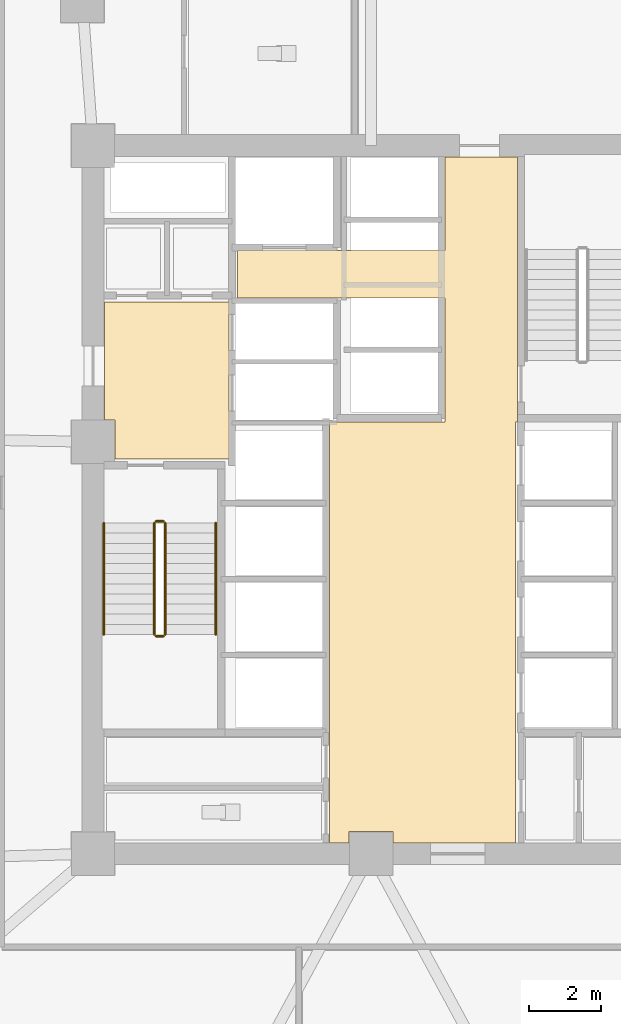
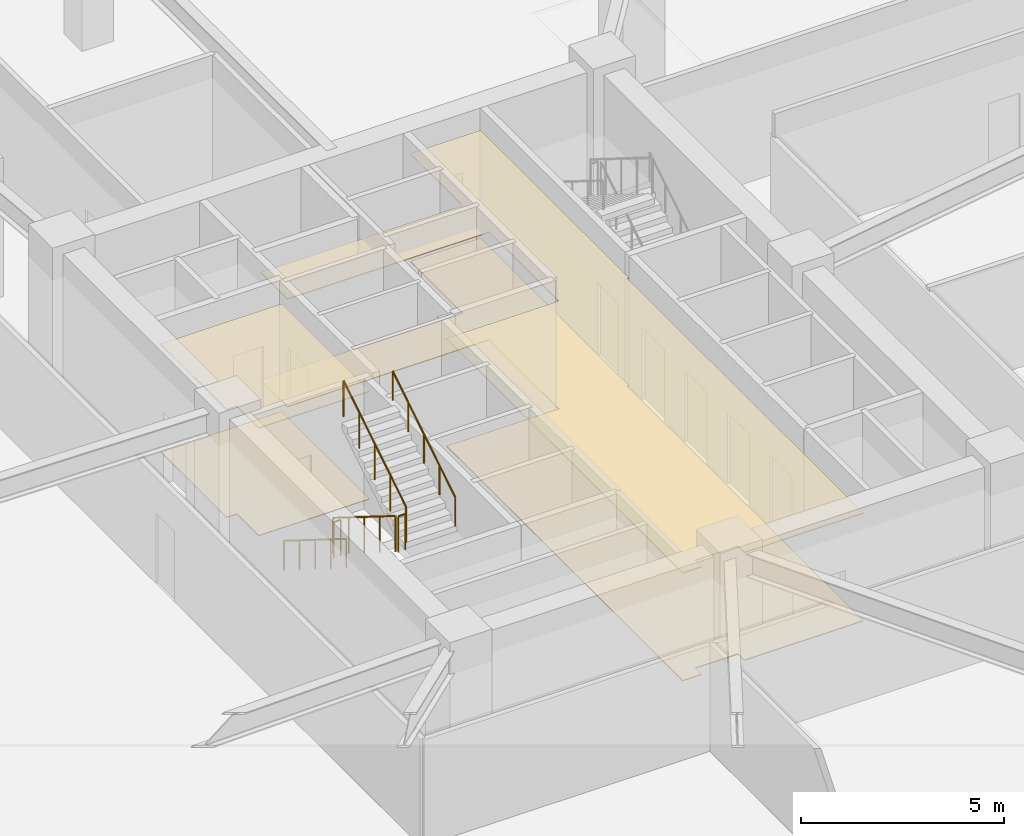
# One storey, part 16 of 21: 6 railings, 4 coverings.
"""IFC4 building model written with IfcOpenShell, lengths in metres."""

import ifcopenshell
import ifcopenshell.guid

model = None  # the IFC model being written
_history = None  # IfcOwnerHistory: only IFC2X3 demands one
_inside = {}  # id of a spatial element -> (the spatial element, [elements in it])
_under = {}  # id of a project, library or spatial element -> (it, [spatial elements below it])
_declared = {}  # id of a project -> (the project, [libraries it declares])
_typed = {}  # id of a type object -> (the type object, [elements of that type])
_made_of = {}  # id of a material, layer set ... -> (it, [elements and type objects made of it])


def new_model(schema):
    """Start an empty IFC model of exactly this schema.

    Asked for "IFC4X3", IfcOpenShell would pick the latest addendum, in which some entities
    have other attributes; the version numbers below select the first issue.
    IFC2X3 requires an IfcOwnerHistory on every rooted entity: one is made here for all.
    """
    global model, _history
    if schema == "IFC4X3":
        model = ifcopenshell.file(schema_version=(4, 3, 0, 0))
    else:
        model = ifcopenshell.file(schema=schema)
    _inside.clear()
    _under.clear()
    _declared.clear()
    _typed.clear()
    _made_of.clear()
    _history = None
    if model.schema == "IFC2X3":
        org = make("IfcOrganization", Name="unknown")
        user = make(
            "IfcPersonAndOrganization",
            ThePerson=make("IfcPerson", FamilyName="unknown"),
            TheOrganization=org,
        )
        app = make(
            "IfcApplication",
            ApplicationDeveloper=org,
            Version="unknown",
            ApplicationFullName="unknown",
            ApplicationIdentifier="unknown",
        )
        _history = make(
            "IfcOwnerHistory",
            OwningUser=user,
            OwningApplication=app,
            ChangeAction="ADDED",
            CreationDate=0,
        )
    return model


def make(cls, **values):
    """One entity of the class cls with the attributes given. An attribute that is None is left unset."""
    return model.create_entity(
        cls, **{name: value for name, value in values.items() if value is not None}
    )


def rooted(cls, **values):
    """An entity with a GlobalId (a new one), such as an element, a storey or a relation."""
    return make(cls, GlobalId=ifcopenshell.guid.new(), OwnerHistory=_history, **values)


def si_unit(unit_type, name, prefix=None):
    """IfcSIUnit, for example si_unit("LENGTHUNIT", "METRE", prefix="MILLI")."""
    return make("IfcSIUnit", UnitType=unit_type, Prefix=prefix, Name=name)


def assignment(units):
    """IfcUnitAssignment: the units of a project."""
    return None if units is None else make("IfcUnitAssignment", Units=units)


def point(xyz):
    """IfcCartesianPoint."""
    return None if xyz is None else make("IfcCartesianPoint", Coordinates=xyz)


def direction(xyz):
    """IfcDirection."""
    return None if xyz is None else make("IfcDirection", DirectionRatios=xyz)


def frame(location, z_axis=None, x_axis=None):
    """IfcAxis2Placement3D, a coordinate frame: its origin and axes. An axis left out is left unset."""
    return make(
        "IfcAxis2Placement3D",
        Location=point(location),
        Axis=direction(z_axis),
        RefDirection=direction(x_axis),
    )


def frame_2d(location, x_axis=None):
    """IfcAxis2Placement2D, a coordinate frame in the plane: its origin and x axis."""
    return make(
        "IfcAxis2Placement2D", Location=point(location), RefDirection=direction(x_axis)
    )


def origin():
    """The frame at (0, 0, 0) with its axes left unset."""
    return frame((0.0, 0.0, 0.0))


def origin_2d():
    """The frame at (0, 0) in the plane with its x axis left unset."""
    return frame_2d((0.0, 0.0))


def place(relative_to, where):
    """IfcLocalPlacement: puts the frame where relative to a parent placement (None: the world)."""
    return make(
        "IfcLocalPlacement", PlacementRelTo=relative_to, RelativePlacement=where
    )


def context(
    kind, dimensions, precision=None, world=None, true_north=None, identifier=None
):
    """IfcGeometricRepresentationContext, for example the 3D "Model" context."""
    return make(
        "IfcGeometricRepresentationContext",
        ContextIdentifier=identifier,
        ContextType=kind,
        CoordinateSpaceDimension=dimensions,
        Precision=precision,
        WorldCoordinateSystem=world,
        TrueNorth=true_north,
    )


def subcontext(parent, identifier, kind, view, scale=None):
    """IfcGeometricRepresentationSubContext, for example "Body" below "Model"."""
    return make(
        "IfcGeometricRepresentationSubContext",
        ContextIdentifier=identifier,
        ContextType=kind,
        ParentContext=parent,
        TargetScale=scale,
        TargetView=view,
    )


def project(units=None, contexts=None):
    """IfcProject with its units and contexts."""
    return rooted(
        "IfcProject",
        Name="project",
        RepresentationContexts=contexts,
        UnitsInContext=assignment(units),
    )


def spatial(cls, under=None, at=None, **own):
    """A site, building, storey or space (cls), placed at a placement, below another one or the project."""
    s = rooted(cls, ObjectPlacement=at, **own)
    if under is not None:
        _under.setdefault(under.id(), (under, []))[1].append(s)
    return s


def polyline(points):
    """IfcPolyline through the points."""
    return make("IfcPolyline", Points=[point(p) for p in points])


def profile(cls, at=None, kind="AREA", **sizes):
    """A parametric profile (cls). Its sizes go by their IFC names, for example OverallWidth=200.0."""
    return make(cls, ProfileType=kind, Position=at, **sizes)


def circle(**sizes):
    """IfcCircleProfileDef."""
    return profile("IfcCircleProfileDef", **sizes)


def outline(outer, holes=None, kind="AREA"):
    """IfcArbitraryClosedProfileDef: a profile drawn as a closed curve; with holes, ...WithVoids."""
    if holes is None:
        return make("IfcArbitraryClosedProfileDef", ProfileType=kind, OuterCurve=outer)
    return make(
        "IfcArbitraryProfileDefWithVoids",
        ProfileType=kind,
        OuterCurve=outer,
        InnerCurves=holes,
    )


def extrude(swept, where, along, depth):
    """IfcExtrudedAreaSolid: the profile swept, set in the frame where, extruded along a direction by depth."""
    return make(
        "IfcExtrudedAreaSolid",
        SweptArea=swept,
        Position=where,
        ExtrudedDirection=direction(along),
        Depth=depth,
    )


def shape(context_of_items, identifier, shape_type, items):
    """IfcShapeRepresentation: the items that make up one representation, for example the "Body"."""
    return make(
        "IfcShapeRepresentation",
        ContextOfItems=context_of_items,
        RepresentationIdentifier=identifier,
        RepresentationType=shape_type,
        Items=items,
    )


def material(Name=None, Category=None):
    """IfcMaterial."""
    return make("IfcMaterial", Name=Name, Category=Category)


def layer(
    of_material, thickness, ventilated=None, Name=None, Category=None, Priority=None
):
    """IfcMaterialLayer: one layer of a wall or slab, of a material (None: an air gap)."""
    return make(
        "IfcMaterialLayer",
        Material=of_material,
        LayerThickness=thickness,
        IsVentilated=ventilated,
        Name=Name,
        Category=Category,
        Priority=Priority,
    )


def layer_set(layers, Name=None):
    """IfcMaterialLayerSet."""
    return make("IfcMaterialLayerSet", MaterialLayers=layers, LayerSetName=Name)


def made_of(thing, what):
    """Note that an element or type object is made of a material, layer set ...; save() writes the relation."""
    if what is not None:
        _made_of.setdefault(what.id(), (what, []))[1].append(thing)
    return thing


def type_object(cls, material=None, **own):
    """A type object (cls), such as IfcWallType, which elements share."""
    return made_of(rooted(cls, **own), material)


def element(
    cls,
    number,
    at=None,
    inside=None,
    cuts=None,
    type_object=None,
    material=None,
    context=None,
    identifier="Body",
    shape_type=None,
    held_by="IfcProductDefinitionShape",
    body=None,
    shapes=None,
    **own,
):
    """One element of the class cls, such as IfcWall. Its Tag is "e" and its number.

    at: its placement. inside: the storey or other place that contains it. cuts: it is an
    opening in that element (IfcRelVoidsElement). A single representation is given by context,
    identifier, shape_type and body (its items); several are given by shapes. held_by: the class
    of the entity that holds the representations. save() writes the other relations.
    """
    e = rooted(cls, Tag="e%d" % number, ObjectPlacement=at, **own)
    if body is not None:
        shapes = [shape(context, identifier, shape_type, body)]
    if shapes is not None:
        e.Representation = make(held_by, Representations=shapes)
    if inside is not None:
        _inside.setdefault(inside.id(), (inside, []))[1].append(e)
    if cuts is not None:
        rooted(
            "IfcRelVoidsElement", RelatingBuildingElement=cuts, RelatedOpeningElement=e
        )
    if type_object is not None:
        _typed.setdefault(type_object.id(), (type_object, []))[1].append(e)
    return made_of(e, material)


def aggregate(whole, parts):
    """IfcRelAggregates: a whole, such as a stair, and the parts it consists of."""
    return rooted("IfcRelAggregates", RelatingObject=whole, RelatedObjects=parts)


def save(model, path):
    """Write the relations noted so far, then the file.

    IfcRelAggregates (storeys below a building ...), IfcRelContainedInSpatialStructure (elements
    in a storey), IfcRelDefinesByType, IfcRelAssociatesMaterial and IfcRelDeclares: one each for
    every whole, place, type object, material and project.
    """
    for whole, parts in _under.values():
        aggregate(whole, parts)
    for where, things in _inside.values():
        rooted(
            "IfcRelContainedInSpatialStructure",
            RelatedElements=things,
            RelatingStructure=where,
        )
    for kind, things in _typed.values():
        rooted("IfcRelDefinesByType", RelatedObjects=things, RelatingType=kind)
    for what, things in _made_of.values():
        rooted("IfcRelAssociatesMaterial", RelatedObjects=things, RelatingMaterial=what)
    for by, libraries in _declared.values():
        rooted("IfcRelDeclares", RelatingContext=by, RelatedDefinitions=libraries)
    model.write(path)


model = new_model("IFC4")

# Units and contexts
model_context = context("Model", 3, precision=1e-05, world=origin(), true_north=direction((0.0, 1.0)))
body_context = subcontext(model_context, "Body", "Model", "MODEL_VIEW")
ifc_project = project(units=[si_unit("LENGTHUNIT", "METRE"), si_unit("AREAUNIT", "SQUARE_METRE"), si_unit("VOLUMEUNIT", "CUBIC_METRE"), si_unit("PLANEANGLEUNIT", "RADIAN"), si_unit("MASSUNIT", "GRAM", prefix="KILO")], contexts=[model_context])

# Site, building, storey
site_placement = place(None, origin())
site = spatial("IfcSite", under=ifc_project, at=site_placement, CompositionType="ELEMENT")
building_placement = place(site_placement, origin())
building = spatial("IfcBuilding", under=site, at=building_placement, Name="Savorim Split Tower", CompositionType="ELEMENT")
storey_placement = place(building_placement, frame((0.0, 0.0, 5.0)))
storey = spatial("IfcBuildingStorey", under=building, at=storey_placement, Name="L01", CompositionType="ELEMENT", Elevation=5.0)

# Coverings
ifc_material_1 = material(Name="Mineral Fibre Acoustic Ceiling")
ifc_layer_1 = layer(ifc_material_1, 0.02490234375)
ifc_layer_set_1 = layer_set([ifc_layer_1], Name="COV-CEIL-25")
covering_type_1 = type_object("IfcCoveringType", Name="COV-CEIL-25", PredefinedType="CEILING", material=ifc_layer_set_1)
covering_1_placement = place(storey_placement, frame((0.0, 0.0, 3.239990234375)))
element("IfcCovering", 1, at=covering_1_placement, inside=storey, type_object=covering_type_1, Name="L01 Firefighting Lift Lobby Acoustic Ceiling", PredefinedType="CEILING", context=body_context, shape_type="SweptSolid", body=[
    extrude(outline(polyline([(-3.929931640625, 5.8701171875), (-7.3798828125, 5.8701171875), (-7.3798828125, 2.610107421875), (-7.090087890625, 2.610107421875), (-7.090087890625, 1.530029296875), (-3.929931640625, 1.530029296875), (-3.929931640625, 5.8701171875)])), origin(), (0.0, 0.0, 1.0), 0.02490234375),
])
covering_2_placement = place(storey_placement, frame((0.0, 0.0, 3.239990234375)))
element("IfcCovering", 2, at=covering_2_placement, inside=storey, type_object=covering_type_1, Name="L01 Lift Lobby Acoustic Ceiling", PredefinedType="CEILING", context=body_context, shape_type="SweptSolid", body=[
    extrude(outline(polyline([(2.050048828125, 2.550048828125), (-1.14990234375, 2.550048828125), (-1.14990234375, -9.10009765625), (-0.610107421875, -9.10009765625), (-0.610107421875, -8.7900390625), (0.610107421875, -8.7900390625), (0.610107421875, -9.10009765625), (4.0, -9.10009765625), (4.0, 2.550048828125), (4.050048828125, 2.550048828125), (4.050048828125, 5.97998046875), (4.050048828125, 7.300048828125), (4.050048828125, 9.8798828125), (2.050048828125, 9.8798828125), (2.050048828125, 7.300048828125), (-3.699951171875, 7.300048828125), (-3.699951171875, 5.97998046875), (2.050048828125, 5.97998046875), (2.050048828125, 2.550048828125)])), origin(), (0.0, 0.0, 1.0), 0.02490234375),
])
ifc_material_2 = material(Name="Porcelain Stoneware Flooring", Category="masonry")
ifc_layer_2 = layer(ifc_material_2, 0.02001953125)
ifc_layer_set_2 = layer_set([ifc_layer_2], Name="COV-FLOR-20")
covering_type_2 = type_object("IfcCoveringType", Name="COV-FLOR-20", PredefinedType="FLOORING", material=ifc_layer_set_2)
covering_3_placement = place(storey_placement, origin())
element("IfcCovering", 3, at=covering_3_placement, inside=storey, type_object=covering_type_2, Name="L01 Firefighting Lift Lobby Porcelain Flooring", PredefinedType="FLOORING", context=body_context, shape_type="SweptSolid", body=[
    extrude(outline(polyline([(-3.929931640625, 5.8701171875), (-7.3798828125, 5.8701171875), (-7.3798828125, 2.610107421875), (-7.090087890625, 2.610107421875), (-7.090087890625, 1.530029296875), (-3.929931640625, 1.530029296875), (-3.929931640625, 5.8701171875)])), origin(), (0.0, 0.0, 1.0), 0.02001953125),
])
covering_4_placement = place(storey_placement, origin())
element("IfcCovering", 4, at=covering_4_placement, inside=storey, type_object=covering_type_2, Name="L01 Lift Lobby Porcelain Flooring", PredefinedType="FLOORING", context=body_context, shape_type="SweptSolid", body=[
    extrude(outline(polyline([(2.050048828125, 2.550048828125), (-1.14990234375, 2.550048828125), (-1.14990234375, -9.10009765625), (-0.610107421875, -9.10009765625), (-0.610107421875, -8.7900390625), (0.610107421875, -8.7900390625), (0.610107421875, -9.10009765625), (4.0, -9.10009765625), (4.0, 2.550048828125), (4.050048828125, 2.550048828125), (4.050048828125, 5.97998046875), (4.050048828125, 7.300048828125), (4.050048828125, 9.8798828125), (2.050048828125, 9.8798828125), (2.050048828125, 7.300048828125), (-3.699951171875, 7.300048828125), (-3.699951171875, 5.97998046875), (2.050048828125, 5.97998046875), (2.050048828125, 2.550048828125)])), origin(), (0.0, 0.0, 1.0), 0.02001953125),
])

# Railings
ifc_material_3 = material(Name="Galvanised Painted Steel Balustrade", Category="steel")
railing_type_1 = type_object("IfcRailingType", Name="RLG-HR-900", PredefinedType="HANDRAIL", material=ifc_material_3)
railing_1_placement = place(storey_placement, frame((-7.39990234375, -0.25, 0.175048828125)))
element("IfcRailing", 5, at=railing_1_placement, inside=storey, type_object=railing_type_1, Name="L01 ST-1 stair handrail 1", PredefinedType="HANDRAIL", context=body_context, shape_type="SweptSolid", body=[
    extrude(circle(Radius=0.02392578125, at=origin_2d()), frame((0.0, 0.0, 0.8759765625), z_axis=(0.0, -0.847998304005, 0.529998940003), x_axis=(1.0, 0.0, 0.0)), (0.0, 0.0, 1.0), 3.632080078125),
    extrude(circle(Radius=0.02099609375, at=origin_2d()), origin(), (0.0, 0.0, 1.0), 0.851806640625),
    extrude(circle(Radius=0.02099609375, at=origin_2d()), frame((0.0, -0.77001953125, 0.481201171875)), (0.0, 0.0, 1.0), 0.851806640625),
    extrude(circle(Radius=0.02099609375, at=origin_2d()), frame((0.0, -1.5400390625, 0.96240234375)), (0.0, 0.0, 1.0), 0.851806640625),
    extrude(circle(Radius=0.02099609375, at=origin_2d()), frame((0.0, -2.31005859375, 1.44384765625)), (0.0, 0.0, 1.0), 0.851806640625),
    extrude(circle(Radius=0.02099609375, at=origin_2d()), frame((0.0, -3.080078125, 1.925048828125)), (0.0, 0.0, 1.0), 0.851806640625),
])
railing_2_placement = place(storey_placement, frame((-4.300048828125, -3.330078125, 2.27490234375)))
element("IfcRailing", 6, at=railing_2_placement, inside=storey, type_object=railing_type_1, Name="L01 ST-1 stair handrail 2", PredefinedType="HANDRAIL", context=body_context, shape_type="SweptSolid", body=[
    extrude(circle(Radius=0.02392578125, at=origin_2d()), frame((0.0, 0.0, 0.8759765625), z_axis=(0.0, 0.847998304005, 0.529998940003), x_axis=(-1.0, 0.0, 0.0)), (0.0, 0.0, 1.0), 3.632080078125),
    extrude(circle(Radius=0.02099609375, at=origin_2d()), origin(), (0.0, 0.0, 1.0), 0.851806640625),
    extrude(circle(Radius=0.02099609375, at=origin_2d()), frame((0.0, 0.77001953125, 0.481201171875)), (0.0, 0.0, 1.0), 0.851806640625),
    extrude(circle(Radius=0.02099609375, at=origin_2d()), frame((0.0, 1.5400390625, 0.96240234375)), (0.0, 0.0, 1.0), 0.851806640625),
    extrude(circle(Radius=0.02099609375, at=origin_2d()), frame((0.0, 2.31005859375, 1.44384765625)), (0.0, 0.0, 1.0), 0.851806640625),
    extrude(circle(Radius=0.02099609375, at=origin_2d()), frame((0.0, 3.080078125, 1.925048828125)), (0.0, 0.0, 1.0), 0.851806640625),
])
railing_type_2 = type_object("IfcRailingType", Name="RLG-STG-1100", PredefinedType="BALUSTRADE", material=ifc_material_3)
railing_3_placement = place(storey_placement, frame((-6.0, -0.25, 0.175048828125)))
element("IfcRailing", 7, at=railing_3_placement, inside=storey, type_object=railing_type_2, Name="L01 ST-1 stair guard 1", PredefinedType="BALUSTRADE", context=body_context, shape_type="SweptSolid", body=[
    extrude(circle(Radius=0.02392578125, at=origin_2d()), frame((0.0, 0.0, 1.076171875), z_axis=(0.0, -0.847998304005, 0.529998940003), x_axis=(1.0, 0.0, 0.0)), (0.0, 0.0, 1.0), 3.632080078125),
    extrude(circle(Radius=0.02099609375, at=origin_2d()), origin(), (0.0, 0.0, 1.0), 1.052001953125),
    extrude(circle(Radius=0.02099609375, at=origin_2d()), frame((0.0, -0.77001953125, 0.481201171875)), (0.0, 0.0, 1.0), 1.052001953125),
    extrude(circle(Radius=0.02099609375, at=origin_2d()), frame((0.0, -1.5400390625, 0.96240234375)), (0.0, 0.0, 1.0), 1.052001953125),
    extrude(circle(Radius=0.02099609375, at=origin_2d()), frame((0.0, -2.31005859375, 1.44384765625)), (0.0, 0.0, 1.0), 1.052001953125),
    extrude(circle(Radius=0.02099609375, at=origin_2d()), frame((0.0, -3.080078125, 1.925048828125)), (0.0, 0.0, 1.0), 1.052001953125),
])
railing_4_placement = place(storey_placement, frame((-5.949951171875, -3.3798828125, 2.10009765625)))
element("IfcRailing", 8, at=railing_4_placement, inside=storey, type_object=railing_type_2, Name="L01 ST-1 stair guard 2", PredefinedType="BALUSTRADE", context=body_context, shape_type="SweptSolid", body=[
    extrude(circle(Radius=0.02392578125, at=origin_2d()), frame((0.0, 0.0, 1.076171875), z_axis=(1.0, 0.0, 0.0), x_axis=(0.0, 1.0, 0.0)), (0.0, 0.0, 1.0), 0.199951171875),
    extrude(circle(Radius=0.02099609375, at=origin_2d()), origin(), (0.0, 0.0, 1.0), 1.052001953125),
    extrude(circle(Radius=0.02099609375, at=origin_2d()), frame((0.199951171875, 0.0, 0.0)), (0.0, 0.0, 1.0), 1.052001953125),
])
railing_5_placement = place(storey_placement, frame((-5.699951171875, -3.330078125, 2.27490234375)))
element("IfcRailing", 9, at=railing_5_placement, inside=storey, type_object=railing_type_2, Name="L01 ST-1 stair guard 3", PredefinedType="BALUSTRADE", context=body_context, shape_type="SweptSolid", body=[
    extrude(circle(Radius=0.02392578125, at=origin_2d()), frame((0.0, 0.0, 1.076171875), z_axis=(0.0, 0.847998304005, 0.529998940003), x_axis=(-1.0, 0.0, 0.0)), (0.0, 0.0, 1.0), 3.632080078125),
    extrude(circle(Radius=0.02099609375, at=origin_2d()), origin(), (0.0, 0.0, 1.0), 1.052001953125),
    extrude(circle(Radius=0.02099609375, at=origin_2d()), frame((0.0, 0.77001953125, 0.481201171875)), (0.0, 0.0, 1.0), 1.052001953125),
    extrude(circle(Radius=0.02099609375, at=origin_2d()), frame((0.0, 1.5400390625, 0.96240234375)), (0.0, 0.0, 1.0), 1.052001953125),
    extrude(circle(Radius=0.02099609375, at=origin_2d()), frame((0.0, 2.31005859375, 1.44384765625)), (0.0, 0.0, 1.0), 1.052001953125),
    extrude(circle(Radius=0.02099609375, at=origin_2d()), frame((0.0, 3.080078125, 1.925048828125)), (0.0, 0.0, 1.0), 1.052001953125),
])
railing_6_placement = place(storey_placement, frame((-5.949951171875, -0.199951171875, 0.0)))
element("IfcRailing", 10, at=railing_6_placement, inside=storey, type_object=railing_type_2, Name="L01 ST-1 stair guard 4", PredefinedType="BALUSTRADE", context=body_context, shape_type="SweptSolid", body=[
    extrude(circle(Radius=0.02392578125, at=origin_2d()), frame((0.0, 0.0, 1.076171875), z_axis=(1.0, 0.0, 0.0), x_axis=(0.0, 1.0, 0.0)), (0.0, 0.0, 1.0), 0.199951171875),
    extrude(circle(Radius=0.02099609375, at=origin_2d()), origin(), (0.0, 0.0, 1.0), 1.052001953125),
    extrude(circle(Radius=0.02099609375, at=origin_2d()), frame((0.199951171875, 0.0, 0.0)), (0.0, 0.0, 1.0), 1.052001953125),
])

save(model, "model.ifc")
